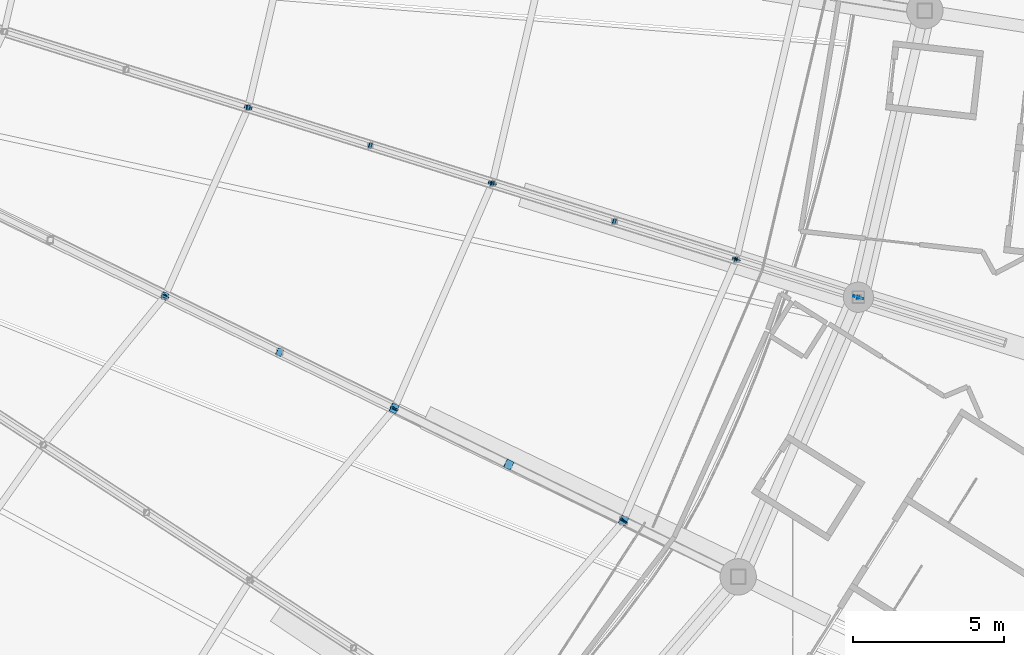
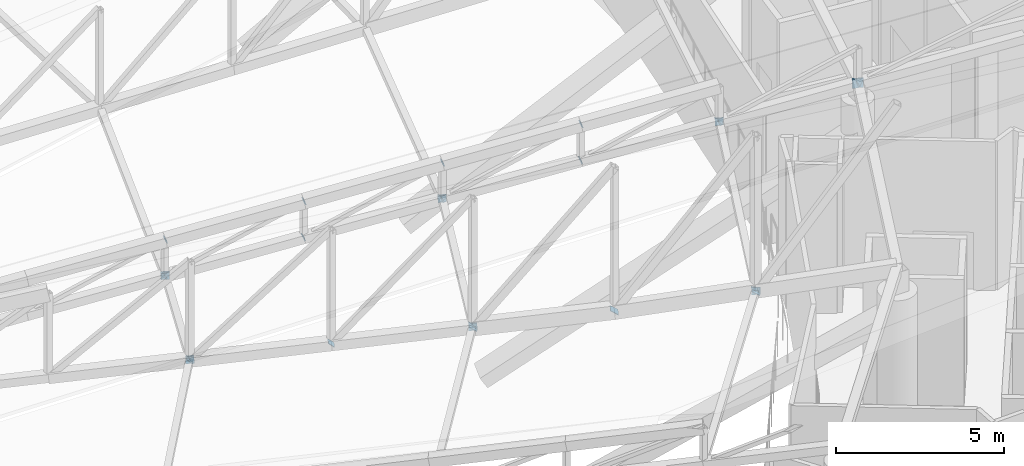
# One storey, part 300 of 344: 29 discrete accessories.
"""IFC4 building model written with IfcOpenShell, lengths in metres."""

from ifc_helpers import new_model, si_unit, direction, frame, origin, origin_2d, place, context, subcontext, project, spatial, rectangle, extrude, material, material_profile, profile_set, type_object, element, save


model = new_model("IFC4")

# Units and contexts
model_context = context("Model", 3, precision=1e-05, world=origin(), true_north=direction((0.0, 1.0)))
body_context = subcontext(model_context, "Body", "Model", "MODEL_VIEW")
ifc_project = project(units=[si_unit("LENGTHUNIT", "METRE"), si_unit("AREAUNIT", "SQUARE_METRE"), si_unit("VOLUMEUNIT", "CUBIC_METRE"), si_unit("PLANEANGLEUNIT", "RADIAN"), si_unit("MASSUNIT", "GRAM", prefix="KILO")], contexts=[model_context])

# Site, building, storey
site_placement = place(None, origin())
site = spatial("IfcSite", under=ifc_project, at=site_placement, CompositionType="ELEMENT")
building_placement = place(site_placement, origin())
building = spatial("IfcBuilding", under=site, at=building_placement, Name="Meseta Stadium", CompositionType="ELEMENT")
storey_placement = place(building_placement, frame((0.0, 0.0, 24.0)))
storey = spatial("IfcBuildingStorey", under=building, at=storey_placement, Name="L04", CompositionType="ELEMENT", Elevation=24.0)

# Discrete accessories
ifc_material_1 = material(Name="Steel S355", Category="steel")
ifc_material_profile_1 = material_profile(ifc_material_1, rectangle(XDim=0.179931640625, YDim=0.179931640625, at=origin_2d()), Name="PL 180x180")
ifc_profile_set_1 = profile_set([ifc_material_profile_1], Name="Steel S355")
discrete_accessory_type_1 = type_object("IfcDiscreteAccessoryType", Name="End plate 180x180x20", PredefinedType="ANCHORPLATE", material=ifc_profile_set_1)
for number, where, z_axis, x_axis, name in (
    (1, (62.010498046875, -56.7646484375, 4.06396484375), (0.856465372407, -0.269174831328, 0.440467905809), (0.29982659674, 0.953993716901, 0.0), "End plate of ROOF TRUSS RT-55 diagonal"),
    (2, (61.9931640625, -56.75927734375, 2.75537109375), (0.864184479619, -0.267775472558, 0.426006433615), (0.295976029358, 0.955195367475, 0.0), "End plate of ROOF TRUSS RT-55 diagonal"),
):
    element("IfcDiscreteAccessory", number, at=place(storey_placement, frame(where, z_axis=z_axis, x_axis=x_axis)), inside=storey, type_object=discrete_accessory_type_1, Name=name, PredefinedType="ANCHORPLATE", context=body_context, shape_type="SweptSolid", body=[
        extrude(rectangle(XDim=0.179931640625, YDim=0.179931640625, at=origin_2d()), origin(), (0.0, 0.0, 1.0), 0.02001953125),
    ])
discrete_accessory_1_placement = place(storey_placement, frame((66.042236328125, -58.0185546875, 4.810302734375), z_axis=(0.859235340228, -0.257770602068, 0.441892460688), x_axis=(0.287347885566, 0.957826285221, 0.0)))
element("IfcDiscreteAccessory", 3, at=discrete_accessory_1_placement, inside=storey, type_object=discrete_accessory_type_1, Name="End plate of ROOF TRUSS RT-55 diagonal", PredefinedType="ANCHORPLATE", context=body_context, shape_type="SweptSolid", body=[
    extrude(rectangle(XDim=0.179931640625, YDim=0.179931640625, at=origin_2d()), origin(), (0.0, 0.0, 1.0), 0.019775390625),
])
for number, where, z_axis, x_axis, name in (
    (4, (66.02490234375, -58.01318359375, 3.501708984375), (0.864184479619, -0.267775472558, 0.426006433615), (0.295976029358, 0.955195367475, 0.0), "End plate of ROOF TRUSS RT-55 diagonal"),
    (5, (70.073974609375, -59.272216796875, 5.556640625), (0.856465372407, -0.269174831328, 0.440467905809), (0.29982659674, 0.953993716901, 0.0), "End plate of ROOF TRUSS RT-55 diagonal"),
    (6, (70.056640625, -59.266845703125, 4.248046875), (0.864184479619, -0.267775472558, 0.426006433615), (0.295976029358, 0.955195367475, 0.0), "End plate of ROOF TRUSS RT-55 diagonal"),
    (7, (74.105712890625, -60.526123046875, 6.302978515625), (0.856465372407, -0.269174831328, 0.440467905809), (0.29982659674, 0.953993716901, 0.0), "End plate of ROOF TRUSS RT-55 diagonal"),
    (8, (74.08837890625, -60.520751953125, 4.994384765625), (0.864184479619, -0.267775472558, 0.426006433615), (0.295976029358, 0.955195367475, 0.0), "End plate of ROOF TRUSS RT-55 diagonal"),
    (9, (78.1201171875, -61.774658203125, 5.74072265625), (0.864184479619, -0.267775472558, 0.426006433615), (0.295976029358, 0.955195367475, 0.0), "End plate of ROOF TRUSS RT-55 diagonal"),
    (10, (82.151611328125, -63.0283203125, 6.48779296875), (0.875902038268, -0.267636733915, 0.401455100873), (0.292218535599, 0.956351571051, 0.0), "End plate of ROOF TRUSS RT-55 diagonal"),
):
    element("IfcDiscreteAccessory", number, at=place(storey_placement, frame(where, z_axis=z_axis, x_axis=x_axis)), inside=storey, type_object=discrete_accessory_type_1, Name=name, PredefinedType="ANCHORPLATE", context=body_context, shape_type="SweptSolid", body=[
        extrude(rectangle(XDim=0.179931640625, YDim=0.179931640625, at=origin_2d()), origin(), (0.0, 0.0, 1.0), 0.02001953125),
    ])
ifc_material_2 = material(Name="Steel S355", Category="steel")
ifc_material_profile_2 = material_profile(ifc_material_2, rectangle(XDim=0.239990234375, YDim=0.239990234375, at=origin_2d()), Name="PL 240x240")
ifc_profile_set_2 = profile_set([ifc_material_profile_2], Name="Steel S355")
discrete_accessory_type_2 = type_object("IfcDiscreteAccessoryType", Name="End plate 240x240x20", PredefinedType="ANCHORPLATE", material=ifc_profile_set_2)
for number, where, z_axis, x_axis, name in (
    (11, (59.246826171875, -62.9931640625, 4.447021484375), (0.60971076085, -0.304855380425, 0.73165291302), (0.4472135955, 0.894427191, 0.0), "End plate of ROOF TRUSS RT-54 diagonal"),
    (12, (63.035400390625, -64.84814453125, 4.842041015625), (0.573896669971, -0.280843051262, 0.76926574911), (0.439552863981, 0.898216722048, 0.0), "End plate of ROOF TRUSS RT-54 diagonal"),
):
    element("IfcDiscreteAccessory", number, at=place(storey_placement, frame(where, z_axis=z_axis, x_axis=x_axis)), inside=storey, type_object=discrete_accessory_type_2, Name=name, PredefinedType="ANCHORPLATE", context=body_context, shape_type="SweptSolid", body=[
        extrude(rectangle(XDim=0.239990234375, YDim=0.239990234375, at=origin_2d()), origin(), (0.0, 0.0, 1.0), 0.02001953125),
    ])
ifc_material_3 = material(Name="Steel S355", Category="steel")
ifc_material_profile_3 = material_profile(ifc_material_3, rectangle(XDim=0.260009765625, YDim=0.260009765625, at=origin_2d()), Name="PL 260x260")
ifc_profile_set_3 = profile_set([ifc_material_profile_3], Name="Steel S355")
discrete_accessory_type_3 = type_object("IfcDiscreteAccessoryType", Name="End plate 260x260x20", PredefinedType="ANCHORPLATE", material=ifc_profile_set_3)
for number, where, z_axis, x_axis, name in (
    (13, (59.259033203125, -62.999267578125, 4.461669921875), (0.610619421206, 0.744955693871, 0.268672545331), (-0.77339210496, 0.633927954885, 0.0), "End plate of ROOF TRUSS STRUT RT-53/54"),
    (14, (66.834716796875, -66.708251953125, 5.253173828125), (0.636755910588, 0.759208970316, 0.134698365701), (-0.766191543126, 0.642612261976, 0.0), "End plate of ROOF TRUSS STRUT RT-53/54"),
    (15, (74.41015625, -70.41748046875, 6.148681640625), (0.649342091356, 0.75960772951, 0.036755212718), (-0.760121344352, 0.649781149204, 0.0), "End plate of ROOF TRUSS STRUT RT-53/54"),
):
    element("IfcDiscreteAccessory", number, at=place(storey_placement, frame(where, z_axis=z_axis, x_axis=x_axis)), inside=storey, type_object=discrete_accessory_type_3, Name=name, PredefinedType="ANCHORPLATE", context=body_context, shape_type="SweptSolid", body=[
        extrude(rectangle(XDim=0.260009765625, YDim=0.260009765625, at=origin_2d()), origin(), (0.0, 0.0, 1.0), 0.02001953125),
    ])
discrete_accessory_2_placement = place(storey_placement, frame((59.251220703125, -63.016845703125, 4.466552734375), z_axis=(0.393654265044, 0.885722096349, -0.246033915653), x_axis=(-0.91381154862, 0.406138466053, 0.0)))
element("IfcDiscreteAccessory", 16, at=discrete_accessory_2_placement, inside=storey, type_object=discrete_accessory_type_3, Name="End plate of ROOF TRUSS STRUT RT-54/55", PredefinedType="ANCHORPLATE", context=body_context, shape_type="SweptSolid", body=[
    extrude(rectangle(XDim=0.260009765625, YDim=0.260009765625, at=origin_2d()), origin(), (0.0, 0.0, 1.0), 0.019775390625),
])
discrete_accessory_3_placement = place(storey_placement, frame((62.010498046875, -56.7646484375, 2.763916015625), z_axis=(0.389405071601, 0.888330319589, -0.24337816975), x_axis=(-0.915869154004, 0.401476889427, 0.0)))
element("IfcDiscreteAccessory", 17, at=discrete_accessory_3_placement, inside=storey, type_object=discrete_accessory_type_3, Name="End plate of ROOF TRUSS STRUT RT-54/55", PredefinedType="ANCHORPLATE", context=body_context, shape_type="SweptSolid", body=[
    extrude(rectangle(XDim=0.260009765625, YDim=0.260009765625, at=origin_2d()), origin(), (0.0, 0.0, 1.0), 0.02001953125),
])
discrete_accessory_4_placement = place(storey_placement, frame((66.82666015625, -66.7265625, 5.255615234375), z_axis=(0.399772462433, 0.908573778258, -0.121143170434), x_axis=(-0.915315032423, 0.402738614266, 0.0)))
element("IfcDiscreteAccessory", 18, at=discrete_accessory_4_placement, inside=storey, type_object=discrete_accessory_type_3, Name="End plate of ROOF TRUSS STRUT RT-54/55", PredefinedType="ANCHORPLATE", context=body_context, shape_type="SweptSolid", body=[
    extrude(rectangle(XDim=0.260009765625, YDim=0.260009765625, at=origin_2d()), origin(), (0.0, 0.0, 1.0), 0.020263671875),
])
discrete_accessory_5_placement = place(storey_placement, frame((70.073974609375, -59.272216796875, 4.256591796875), z_axis=(0.393892771134, 0.910877033247, -0.123091490979), x_axis=(-0.91785703596, 0.396911150685, 0.0)))
element("IfcDiscreteAccessory", 19, at=discrete_accessory_5_placement, inside=storey, type_object=discrete_accessory_type_3, Name="End plate of ROOF TRUSS STRUT RT-54/55", PredefinedType="ANCHORPLATE", context=body_context, shape_type="SweptSolid", body=[
    extrude(rectangle(XDim=0.260009765625, YDim=0.260009765625, at=origin_2d()), origin(), (0.0, 0.0, 1.0), 0.019775390625),
])
for number, where, z_axis, x_axis, name in (
    (20, (74.40234375, -70.435791015625, 6.1494140625), (0.392173354426, 0.919156299436, -0.036766251977), (-0.919778168081, 0.392438685048, 0.0), "End plate of ROOF TRUSS STRUT RT-54/55"),
    (21, (78.137451171875, -61.780029296875, 5.749267578125), (0.392173354426, 0.919156299436, -0.036766251977), (-0.919778168081, 0.392438685048, 0.0), "End plate of ROOF TRUSS STRUT RT-54/55"),
):
    element("IfcDiscreteAccessory", number, at=place(storey_placement, frame(where, z_axis=z_axis, x_axis=x_axis)), inside=storey, type_object=discrete_accessory_type_3, Name=name, PredefinedType="ANCHORPLATE", context=body_context, shape_type="SweptSolid", body=[
        extrude(rectangle(XDim=0.260009765625, YDim=0.260009765625, at=origin_2d()), origin(), (0.0, 0.0, 1.0), 0.02001953125),
    ])
discrete_accessory_6_placement = place(storey_placement, frame((62.006103515625, -56.783447265625, 2.75927734375), z_axis=(0.221330064109, 0.9468008298, 0.233626178782), x_axis=(-0.973747847886, 0.227629367038, 0.0)))
element("IfcDiscreteAccessory", 22, at=discrete_accessory_6_placement, inside=storey, type_object=discrete_accessory_type_3, Name="End plate of ROOF TRUSS STRUT RT-55/00", PredefinedType="ANCHORPLATE", context=body_context, shape_type="SweptSolid", body=[
    extrude(rectangle(XDim=0.260009765625, YDim=0.260009765625, at=origin_2d()), origin(), (0.0, 0.0, 1.0), 0.019775390625),
])
discrete_accessory_7_placement = place(storey_placement, frame((70.0693359375, -59.291748046875, 4.25439453125), z_axis=(0.229700566368, 0.967160279446, 0.108805531438), x_axis=(-0.97293655072, 0.231072430796, 0.0)))
element("IfcDiscreteAccessory", 23, at=discrete_accessory_7_placement, inside=storey, type_object=discrete_accessory_type_3, Name="End plate of ROOF TRUSS STRUT RT-55/00", PredefinedType="ANCHORPLATE", context=body_context, shape_type="SweptSolid", body=[
    extrude(rectangle(XDim=0.260009765625, YDim=0.260009765625, at=origin_2d()), origin(), (0.0, 0.0, 1.0), 0.020263671875),
])
discrete_accessory_8_placement = place(storey_placement, frame((78.1328125, -61.79931640625, 5.74853515625), z_axis=(0.233679181281, 0.971613437957, 0.036896712834), x_axis=(-0.972275475429, 0.233838405483, 0.0)))
element("IfcDiscreteAccessory", 24, at=discrete_accessory_8_placement, inside=storey, type_object=discrete_accessory_type_3, Name="End plate of ROOF TRUSS STRUT RT-55/00", PredefinedType="ANCHORPLATE", context=body_context, shape_type="SweptSolid", body=[
    extrude(rectangle(XDim=0.260009765625, YDim=0.260009765625, at=origin_2d()), origin(), (0.0, 0.0, 1.0), 0.019775390625),
])
ifc_material_4 = material(Name="Steel S355", Category="steel")
ifc_material_profile_4 = material_profile(ifc_material_4, rectangle(XDim=0.2900390625, YDim=0.2900390625, at=origin_2d()), Name="PL 290x290")
ifc_profile_set_4 = profile_set([ifc_material_profile_4], Name="Steel S355")
discrete_accessory_type_4 = type_object("IfcDiscreteAccessoryType", Name="End plate 290x290x20", PredefinedType="ANCHORPLATE", material=ifc_profile_set_4)
discrete_accessory_9_placement = place(storey_placement, frame((66.82373046875, -66.703125, 5.2373046875), z_axis=(0.550132115489, -0.256728320562, 0.794635277929), x_axis=(0.422885465331, 0.906183139995, 0.0)))
element("IfcDiscreteAccessory", 25, at=discrete_accessory_9_placement, inside=storey, type_object=discrete_accessory_type_4, Name="End plate of ROOF TRUSS RT-54 diagonal", PredefinedType="ANCHORPLATE", context=body_context, shape_type="SweptSolid", body=[
    extrude(rectangle(XDim=0.2900390625, YDim=0.2900390625, at=origin_2d()), origin(), (0.0, 0.0, 1.0), 0.02001953125),
])
discrete_accessory_10_placement = place(storey_placement, frame((70.6123046875, -68.557861328125, 5.632568359375), z_axis=(0.505826026968, -0.246744403399, 0.826593751387), x_axis=(0.438423632021, 0.898768445644, 0.0)))
element("IfcDiscreteAccessory", 26, at=discrete_accessory_10_placement, inside=storey, type_object=discrete_accessory_type_4, Name="End plate of ROOF TRUSS RT-54 diagonal", PredefinedType="ANCHORPLATE", context=body_context, shape_type="SweptSolid", body=[
    extrude(rectangle(XDim=0.2900390625, YDim=0.2900390625, at=origin_2d()), origin(), (0.0, 0.0, 1.0), 0.019775390625),
])
discrete_accessory_11_placement = place(storey_placement, frame((74.400390625, -70.41259765625, 6.131591796875), z_axis=(0.481543412343, -0.240771706172, 0.8427009716), x_axis=(0.4472135955, 0.894427191, 0.0)))
element("IfcDiscreteAccessory", 27, at=discrete_accessory_11_placement, inside=storey, type_object=discrete_accessory_type_4, Name="End plate of ROOF TRUSS RT-54 diagonal", PredefinedType="ANCHORPLATE", context=body_context, shape_type="SweptSolid", body=[
    extrude(rectangle(XDim=0.2900390625, YDim=0.2900390625, at=origin_2d()), origin(), (0.0, 0.0, 1.0), 0.020263671875),
])
ifc_material_5 = material(Name="Steel S355", Category="steel")
ifc_material_profile_5 = material_profile(ifc_material_5, rectangle(XDim=0.340087890625, YDim=0.340087890625, at=origin_2d()), Name="PL 340x340")
ifc_profile_set_5 = profile_set([ifc_material_profile_5], Name="Steel S355")
discrete_accessory_type_5 = type_object("IfcDiscreteAccessoryType", Name="End plate 340x340x20", PredefinedType="ANCHORPLATE", material=ifc_profile_set_5)
for number, where, z_axis, x_axis, name in (
    (28, (82.169189453125, -63.03369140625, 6.495849609375), (0.392173354426, 0.919156299436, -0.036766251977), (-0.919778168081, 0.392438685048, 0.0), "End plate of ROOF PIVOT STRUT RT-54/55"),
    (29, (82.16455078125, -63.05322265625, 6.4951171875), (0.230918786519, 0.972289627449, 0.036460861029), (-0.97293655072, 0.231072430796, 0.0), "End plate of ROOF PIVOT STRUT RT-55/00"),
):
    element("IfcDiscreteAccessory", number, at=place(storey_placement, frame(where, z_axis=z_axis, x_axis=x_axis)), inside=storey, type_object=discrete_accessory_type_5, Name=name, PredefinedType="ANCHORPLATE", context=body_context, shape_type="SweptSolid", body=[
        extrude(rectangle(XDim=0.340087890625, YDim=0.340087890625, at=origin_2d()), origin(), (0.0, 0.0, 1.0), 0.02001953125),
    ])

save(model, "model.ifc")
